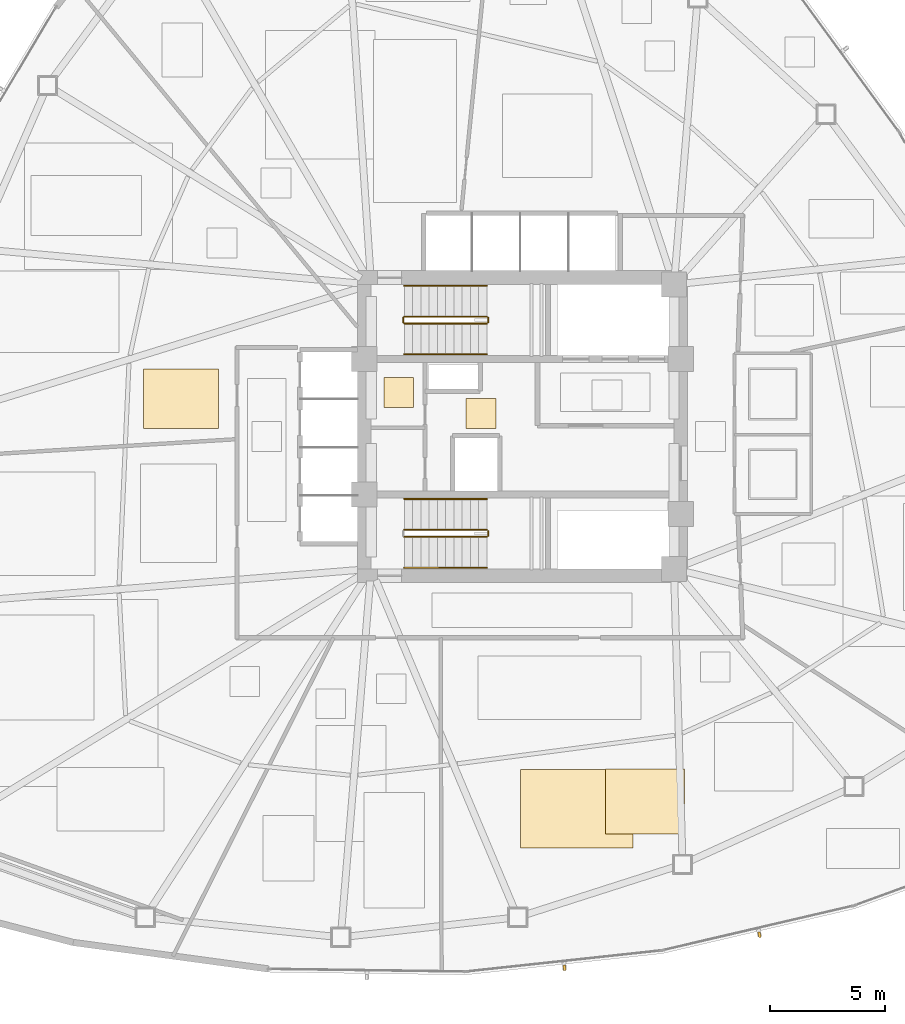
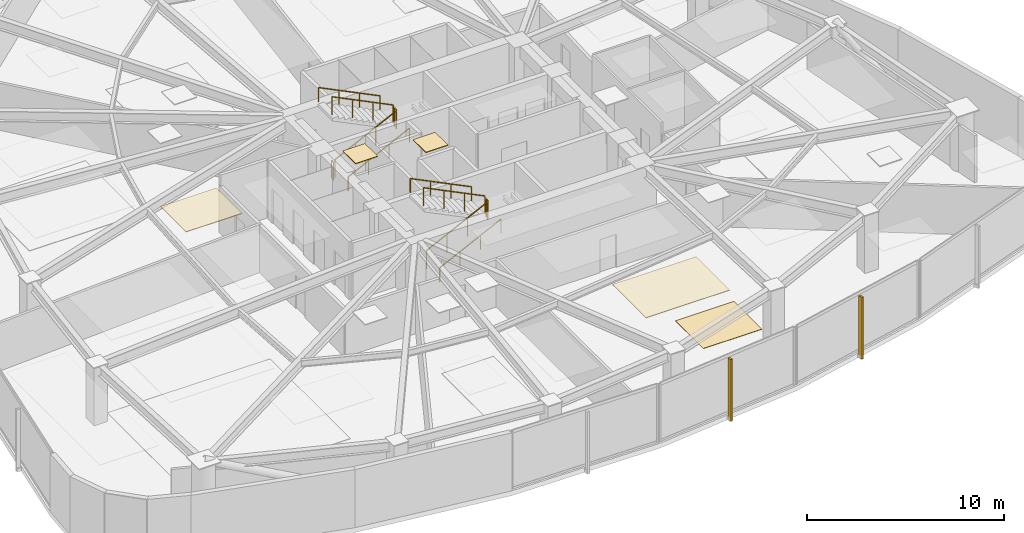
# One storey, part 14 of 16: 11 railings, 5 coverings, 2 shading devices.
"""IFC4 building model written with IfcOpenShell, lengths in metres."""

from ifc_helpers import new_model, si_unit, direction, frame, origin, origin_2d, place, context, subcontext, project, spatial, polyline, rectangle, outline, extrude, source, transform, mapped, material, layer, layer_set, type_object, type_shapes, element, save


model = new_model("IFC4")

# Units and contexts
model_context = context("Model", 3, precision=1e-05, world=origin(), true_north=direction((0.0, 1.0)))
body_context = subcontext(model_context, "Body", "Model", "MODEL_VIEW")
ifc_project = project(units=[si_unit("LENGTHUNIT", "METRE"), si_unit("AREAUNIT", "SQUARE_METRE"), si_unit("VOLUMEUNIT", "CUBIC_METRE"), si_unit("PLANEANGLEUNIT", "RADIAN"), si_unit("MASSUNIT", "GRAM", prefix="KILO")], contexts=[model_context])

# Site, building, storey
site_placement = place(None, origin())
site = spatial("IfcSite", under=ifc_project, at=site_placement, CompositionType="ELEMENT")
building_placement = place(site_placement, origin())
building = spatial("IfcBuilding", under=site, at=building_placement, Name="Tavelor Broadcast Tower", CompositionType="ELEMENT")
storey_placement = place(building_placement, frame((0.0, 0.0, 35.39990234375)))
storey = spatial("IfcBuildingStorey", under=building, at=storey_placement, Name="L07", CompositionType="ELEMENT", Elevation=35.39990234375)

# Covering
ifc_material_1 = material(Name="Copper-Bronze Anodized Aluminium", Category="aluminium")
ifc_layer_1 = layer(ifc_material_1, 0.044921875)
ifc_layer_set_1 = layer_set([ifc_layer_1], Name="Copper-Bronze Anodized Aluminium")
covering_type_1 = type_object("IfcCoveringType", Name="Anodised Bronze Linear Slatted Concourse Ceiling 45 mm", PredefinedType="CEILING", material=ifc_layer_set_1)
covering_1_placement = place(storey_placement, frame((0.0, 0.0, 3.55517578125)))
element("IfcCovering", 1, at=covering_1_placement, inside=storey, type_object=covering_type_1, Name="L07 Suspended Acoustic Ceiling 0207", PredefinedType="CEILING", context=body_context, shape_type="SweptSolid", body=[
    extrude(outline(polyline([(47.5400390625, 44.919921875), (48.840087890625, 44.919921875), (48.840087890625, 46.219970703125), (47.5400390625, 46.219970703125), (47.5400390625, 44.919921875)])), origin(), (0.0, 0.0, 1.0), 0.044921875),
])

# Railings
ifc_material_2 = material(Name="Steel S355", Category="steel")
railing_type_1 = type_object("IfcRailingType", Name="Continuous Brushed Stainless Handrail 900 mm", PredefinedType="HANDRAIL", material=ifc_material_2)
railing_1_placement = place(storey_placement, frame((44.85009765625, 48.14990234375, 0.177490234375)))
element("IfcRailing", 2, at=railing_1_placement, inside=storey, type_object=railing_type_1, Name="L07 ST1 stair handrail 1", PredefinedType="HANDRAIL", context=body_context, shape_type="SweptSolid", body=[
    extrude(rectangle(XDim=0.048095703125, YDim=0.048095703125, at=origin_2d()), frame((0.0, 0.0, 0.8759765625), z_axis=(0.897124305991, 0.0, 0.441778201817), x_axis=(0.0, 1.0, 0.0)), (0.0, 0.0, 1.0), 4.0126953125),
    extrude(rectangle(XDim=0.0419921875, YDim=0.0419921875, at=origin_2d()), origin(), (0.0, 0.0, 1.0), 0.851806640625),
    extrude(rectangle(XDim=0.0419921875, YDim=0.0419921875, at=origin_2d()), frame((1.199951171875, 0.0, 0.5908203125)), (0.0, 0.0, 1.0), 0.851806640625),
    extrude(rectangle(XDim=0.0419921875, YDim=0.0419921875, at=origin_2d()), frame((2.39990234375, 0.0, 1.181884765625)), (0.0, 0.0, 1.0), 0.851806640625),
    extrude(rectangle(XDim=0.0419921875, YDim=0.0419921875, at=origin_2d()), frame((3.599853515625, 0.0, 1.772705078125)), (0.0, 0.0, 1.0), 0.851806640625),
])
railing_2_placement = place(storey_placement, frame((48.449951171875, 51.14990234375, 2.12744140625)))
element("IfcRailing", 3, at=railing_2_placement, inside=storey, type_object=railing_type_1, Name="L07 ST1 stair handrail 2", PredefinedType="HANDRAIL", context=body_context, shape_type="SweptSolid", body=[
    extrude(rectangle(XDim=0.048095703125, YDim=0.048095703125, at=origin_2d()), frame((0.0, 0.0, 0.8759765625), z_axis=(-0.897124305991, 0.0, 0.441778201817), x_axis=(0.0, -1.0, 0.0)), (0.0, 0.0, 1.0), 4.0126953125),
    extrude(rectangle(XDim=0.0419921875, YDim=0.0419921875, at=origin_2d()), origin(), (0.0, 0.0, 1.0), 0.851806640625),
    extrude(rectangle(XDim=0.0419921875, YDim=0.0419921875, at=origin_2d()), frame((-1.199951171875, 0.0, 0.5908203125)), (0.0, 0.0, 1.0), 0.851806640625),
    extrude(rectangle(XDim=0.0419921875, YDim=0.0419921875, at=origin_2d()), frame((-2.39990234375, 0.0, 1.181884765625)), (0.0, 0.0, 1.0), 0.851806640625),
    extrude(rectangle(XDim=0.0419921875, YDim=0.0419921875, at=origin_2d()), frame((-3.599853515625, 0.0, 1.772705078125)), (0.0, 0.0, 1.0), 0.851806640625),
])
railing_3_placement = place(storey_placement, frame((44.85009765625, 38.85009765625, 0.177490234375)))
element("IfcRailing", 4, at=railing_3_placement, inside=storey, type_object=railing_type_1, Name="L07 ST2 stair handrail 1", PredefinedType="HANDRAIL", context=body_context, shape_type="SweptSolid", body=[
    extrude(rectangle(XDim=0.048095703125, YDim=0.048095703125, at=origin_2d()), frame((0.0, 0.0, 0.8759765625), z_axis=(0.897124305991, 0.0, 0.441778201817), x_axis=(0.0, 1.0, 0.0)), (0.0, 0.0, 1.0), 4.0126953125),
    extrude(rectangle(XDim=0.0419921875, YDim=0.0419921875, at=origin_2d()), origin(), (0.0, 0.0, 1.0), 0.851806640625),
    extrude(rectangle(XDim=0.0419921875, YDim=0.0419921875, at=origin_2d()), frame((1.199951171875, 0.0, 0.5908203125)), (0.0, 0.0, 1.0), 0.851806640625),
    extrude(rectangle(XDim=0.0419921875, YDim=0.0419921875, at=origin_2d()), frame((2.39990234375, 0.0, 1.181884765625)), (0.0, 0.0, 1.0), 0.851806640625),
    extrude(rectangle(XDim=0.0419921875, YDim=0.0419921875, at=origin_2d()), frame((3.599853515625, 0.0, 1.772705078125)), (0.0, 0.0, 1.0), 0.851806640625),
])
railing_4_placement = place(storey_placement, frame((48.449951171875, 41.85009765625, 2.12744140625)))
element("IfcRailing", 5, at=railing_4_placement, inside=storey, type_object=railing_type_1, Name="L07 ST2 stair handrail 2", PredefinedType="HANDRAIL", context=body_context, shape_type="SweptSolid", body=[
    extrude(rectangle(XDim=0.048095703125, YDim=0.048095703125, at=origin_2d()), frame((0.0, 0.0, 0.8759765625), z_axis=(-0.897124305991, 0.0, 0.441778201817), x_axis=(0.0, -1.0, 0.0)), (0.0, 0.0, 1.0), 4.0126953125),
    extrude(rectangle(XDim=0.0419921875, YDim=0.0419921875, at=origin_2d()), origin(), (0.0, 0.0, 1.0), 0.851806640625),
    extrude(rectangle(XDim=0.0419921875, YDim=0.0419921875, at=origin_2d()), frame((-1.199951171875, 0.0, 0.5908203125)), (0.0, 0.0, 1.0), 0.851806640625),
    extrude(rectangle(XDim=0.0419921875, YDim=0.0419921875, at=origin_2d()), frame((-2.39990234375, 0.0, 1.181884765625)), (0.0, 0.0, 1.0), 0.851806640625),
    extrude(rectangle(XDim=0.0419921875, YDim=0.0419921875, at=origin_2d()), frame((-3.599853515625, 0.0, 1.772705078125)), (0.0, 0.0, 1.0), 0.851806640625),
])

# Covering
ifc_material_3 = material(Name="Acoustic Nylon Carpet Tile")
ifc_layer_2 = layer(ifc_material_3, 0.02001953125)
ifc_layer_set_2 = layer_set([ifc_layer_2], Name="Acoustic Nylon Carpet Tile")
covering_type_2 = type_object("IfcCoveringType", Name="Heavy-Duty Acoustic Broadcast Carpet Tile 20 mm", PredefinedType="FLOORING", material=ifc_layer_set_2)
covering_2_placement = place(storey_placement, origin())
element("IfcCovering", 6, at=covering_2_placement, inside=storey, type_object=covering_type_2, Name="L07 Broadcast Floor Finish 0077", PredefinedType="FLOORING", context=body_context, shape_type="SweptSolid", body=[
    extrude(outline(polyline([(53.620361328125, 27.247802734375), (57.057861328125, 27.247802734375), (57.057861328125, 30.08935546875), (53.620361328125, 30.08935546875), (53.620361328125, 27.247802734375)])), origin(), (0.0, 0.0, 1.0), 0.02001953125),
])

# Railings
railing_type_2 = type_object("IfcRailingType", Name="Stairwell Steel Safety Guardrail 1150 mm", PredefinedType="GUARDRAIL", material=ifc_material_2)
railing_5_placement = place(storey_placement, frame((44.85009765625, 49.5, 0.177490234375)))
element("IfcRailing", 7, at=railing_5_placement, inside=storey, type_object=railing_type_2, Name="L07 ST1 stair guard 1", PredefinedType="GUARDRAIL", context=body_context, shape_type="SweptSolid", body=[
    extrude(rectangle(XDim=0.048095703125, YDim=0.048095703125, at=origin_2d()), frame((0.0, 0.0, 1.1259765625), z_axis=(0.897124305991, 0.0, 0.441778201817), x_axis=(0.0, 1.0, 0.0)), (0.0, 0.0, 1.0), 4.0126953125),
    extrude(rectangle(XDim=0.0419921875, YDim=0.0419921875, at=origin_2d()), origin(), (0.0, 0.0, 1.0), 1.101806640625),
    extrude(rectangle(XDim=0.0419921875, YDim=0.0419921875, at=origin_2d()), frame((1.199951171875, 0.0, 0.5908203125)), (0.0, 0.0, 1.0), 1.101806640625),
    extrude(rectangle(XDim=0.0419921875, YDim=0.0419921875, at=origin_2d()), frame((2.39990234375, 0.0, 1.181884765625)), (0.0, 0.0, 1.0), 1.101806640625),
    extrude(rectangle(XDim=0.0419921875, YDim=0.0419921875, at=origin_2d()), frame((3.599853515625, 0.0, 1.772705078125)), (0.0, 0.0, 1.0), 1.101806640625),
])
railing_6_placement = place(storey_placement, frame((48.5, 49.550048828125, 1.9501953125)))
element("IfcRailing", 8, at=railing_6_placement, inside=storey, type_object=railing_type_2, Name="L07 ST1 stair guard 2", PredefinedType="GUARDRAIL", context=body_context, shape_type="SweptSolid", body=[
    extrude(rectangle(XDim=0.048095703125, YDim=0.048095703125, at=origin_2d()), frame((0.0, 0.0, 1.1259765625), z_axis=(0.0, 1.0, 0.0), x_axis=(-1.0, 0.0, 0.0)), (0.0, 0.0, 1.0), 0.199951171875),
    extrude(rectangle(XDim=0.0419921875, YDim=0.0419921875, at=origin_2d()), origin(), (0.0, 0.0, 1.0), 1.101806640625),
    extrude(rectangle(XDim=0.0419921875, YDim=0.0419921875, at=origin_2d()), frame((0.0, 0.199951171875, 0.0)), (0.0, 0.0, 1.0), 1.101806640625),
])
railing_7_placement = place(storey_placement, frame((48.449951171875, 49.800048828125, 2.12744140625)))
element("IfcRailing", 9, at=railing_7_placement, inside=storey, type_object=railing_type_2, Name="L07 ST1 stair guard 3", PredefinedType="GUARDRAIL", context=body_context, shape_type="SweptSolid", body=[
    extrude(rectangle(XDim=0.048095703125, YDim=0.048095703125, at=origin_2d()), frame((0.0, 0.0, 1.1259765625), z_axis=(-0.897124305991, 0.0, 0.441778201817), x_axis=(0.0, -1.0, 0.0)), (0.0, 0.0, 1.0), 4.0126953125),
    extrude(rectangle(XDim=0.0419921875, YDim=0.0419921875, at=origin_2d()), origin(), (0.0, 0.0, 1.0), 1.101806640625),
    extrude(rectangle(XDim=0.0419921875, YDim=0.0419921875, at=origin_2d()), frame((-1.199951171875, 0.0, 0.5908203125)), (0.0, 0.0, 1.0), 1.101806640625),
    extrude(rectangle(XDim=0.0419921875, YDim=0.0419921875, at=origin_2d()), frame((-2.39990234375, 0.0, 1.181884765625)), (0.0, 0.0, 1.0), 1.101806640625),
    extrude(rectangle(XDim=0.0419921875, YDim=0.0419921875, at=origin_2d()), frame((-3.599853515625, 0.0, 1.772705078125)), (0.0, 0.0, 1.0), 1.101806640625),
])
railing_8_placement = place(storey_placement, frame((44.800048828125, 49.550048828125, 0.0)))
element("IfcRailing", 10, at=railing_8_placement, inside=storey, type_object=railing_type_2, Name="L07 ST1 stair guard 4", PredefinedType="GUARDRAIL", context=body_context, shape_type="SweptSolid", body=[
    extrude(rectangle(XDim=0.048095703125, YDim=0.048095703125, at=origin_2d()), frame((0.0, 0.0, 1.1259765625), z_axis=(0.0, 1.0, 0.0), x_axis=(-1.0, 0.0, 0.0)), (0.0, 0.0, 1.0), 0.199951171875),
    extrude(rectangle(XDim=0.0419921875, YDim=0.0419921875, at=origin_2d()), origin(), (0.0, 0.0, 1.0), 1.101806640625),
    extrude(rectangle(XDim=0.0419921875, YDim=0.0419921875, at=origin_2d()), frame((0.0, 0.199951171875, 0.0)), (0.0, 0.0, 1.0), 1.101806640625),
])
railing_9_placement = place(storey_placement, frame((44.85009765625, 40.199951171875, 0.177490234375)))
element("IfcRailing", 11, at=railing_9_placement, inside=storey, type_object=railing_type_2, Name="L07 ST2 stair guard 1", PredefinedType="GUARDRAIL", context=body_context, shape_type="SweptSolid", body=[
    extrude(rectangle(XDim=0.048095703125, YDim=0.048095703125, at=origin_2d()), frame((0.0, 0.0, 1.1259765625), z_axis=(0.897124305991, 0.0, 0.441778201817), x_axis=(0.0, 1.0, 0.0)), (0.0, 0.0, 1.0), 4.0126953125),
    extrude(rectangle(XDim=0.0419921875, YDim=0.0419921875, at=origin_2d()), origin(), (0.0, 0.0, 1.0), 1.101806640625),
    extrude(rectangle(XDim=0.0419921875, YDim=0.0419921875, at=origin_2d()), frame((1.199951171875, 0.0, 0.5908203125)), (0.0, 0.0, 1.0), 1.101806640625),
    extrude(rectangle(XDim=0.0419921875, YDim=0.0419921875, at=origin_2d()), frame((2.39990234375, 0.0, 1.181884765625)), (0.0, 0.0, 1.0), 1.101806640625),
    extrude(rectangle(XDim=0.0419921875, YDim=0.0419921875, at=origin_2d()), frame((3.599853515625, 0.0, 1.772705078125)), (0.0, 0.0, 1.0), 1.101806640625),
])
railing_10_placement = place(storey_placement, frame((48.5, 40.25, 1.9501953125)))
element("IfcRailing", 12, at=railing_10_placement, inside=storey, type_object=railing_type_2, Name="L07 ST2 stair guard 2", PredefinedType="GUARDRAIL", context=body_context, shape_type="SweptSolid", body=[
    extrude(rectangle(XDim=0.048095703125, YDim=0.048095703125, at=origin_2d()), frame((0.0, 0.0, 1.1259765625), z_axis=(0.0, 1.0, 0.0), x_axis=(-1.0, 0.0, 0.0)), (0.0, 0.0, 1.0), 0.199951171875),
    extrude(rectangle(XDim=0.0419921875, YDim=0.0419921875, at=origin_2d()), origin(), (0.0, 0.0, 1.0), 1.101806640625),
    extrude(rectangle(XDim=0.0419921875, YDim=0.0419921875, at=origin_2d()), frame((0.0, 0.199951171875, 0.0)), (0.0, 0.0, 1.0), 1.101806640625),
])
railing_11_placement = place(storey_placement, frame((48.449951171875, 40.5, 2.12744140625)))
element("IfcRailing", 13, at=railing_11_placement, inside=storey, type_object=railing_type_2, Name="L07 ST2 stair guard 3", PredefinedType="GUARDRAIL", context=body_context, shape_type="SweptSolid", body=[
    extrude(rectangle(XDim=0.048095703125, YDim=0.048095703125, at=origin_2d()), frame((0.0, 0.0, 1.1259765625), z_axis=(-0.897124305991, 0.0, 0.441778201817), x_axis=(0.0, -1.0, 0.0)), (0.0, 0.0, 1.0), 4.0126953125),
    extrude(rectangle(XDim=0.0419921875, YDim=0.0419921875, at=origin_2d()), origin(), (0.0, 0.0, 1.0), 1.101806640625),
    extrude(rectangle(XDim=0.0419921875, YDim=0.0419921875, at=origin_2d()), frame((-1.199951171875, 0.0, 0.5908203125)), (0.0, 0.0, 1.0), 1.101806640625),
    extrude(rectangle(XDim=0.0419921875, YDim=0.0419921875, at=origin_2d()), frame((-2.39990234375, 0.0, 1.181884765625)), (0.0, 0.0, 1.0), 1.101806640625),
    extrude(rectangle(XDim=0.0419921875, YDim=0.0419921875, at=origin_2d()), frame((-3.599853515625, 0.0, 1.772705078125)), (0.0, 0.0, 1.0), 1.101806640625),
])

# Coverings
ifc_material_4 = material(Name="Acoustic Mineral Fibre Tile")
ifc_layer_3 = layer(ifc_material_4, 0.0400390625)
ifc_layer_set_3 = layer_set([ifc_layer_3], Name="Acoustic Mineral Fibre Tile")
covering_type_3 = type_object("IfcCoveringType", Name="Suspended Acoustic Mineral-Fibre Office Ceiling 40 mm", PredefinedType="CEILING", material=ifc_layer_set_3)
covering_3_placement = place(storey_placement, frame((0.0, 0.0, 3.56005859375)))
element("IfcCovering", 14, at=covering_3_placement, inside=storey, type_object=covering_type_3, Name="L07 Suspended Acoustic Ceiling 0208", PredefinedType="CEILING", context=body_context, shape_type="SweptSolid", body=[
    extrude(outline(polyline([(43.951416015625, 45.843017578125), (45.25146484375, 45.843017578125), (45.25146484375, 47.14306640625), (43.951416015625, 47.14306640625), (43.951416015625, 45.843017578125)])), origin(), (0.0, 0.0, 1.0), 0.0400390625),
])
covering_4_placement = place(storey_placement, frame((0.0, 0.0, 3.56005859375)))
element("IfcCovering", 15, at=covering_4_placement, inside=storey, type_object=covering_type_3, Name="L07 Suspended Acoustic Ceiling 0218", PredefinedType="CEILING", context=body_context, shape_type="SweptSolid", body=[
    extrude(outline(polyline([(49.9033203125, 26.638916015625), (54.817138671875, 26.638916015625), (54.817138671875, 30.0517578125), (49.9033203125, 30.0517578125), (49.9033203125, 26.638916015625)])), origin(), (0.0, 0.0, 1.0), 0.0400390625),
])
covering_5_placement = place(storey_placement, frame((0.0, 0.0, 3.56005859375)))
element("IfcCovering", 16, at=covering_5_placement, inside=storey, type_object=covering_type_3, Name="L07 Suspended Acoustic Ceiling 0230", PredefinedType="CEILING", context=body_context, shape_type="SweptSolid", body=[
    extrude(outline(polyline([(33.478515625, 44.911865234375), (36.747802734375, 44.911865234375), (36.747802734375, 47.515869140625), (33.478515625, 47.515869140625), (33.478515625, 44.911865234375)])), origin(), (0.0, 0.0, 1.0), 0.0400390625),
])

# Shading devices
ifc_material_5 = material(Name="Kiln-Fired Glazed Terracotta", Category="masonry")
shading_device_type = type_object("IfcShadingDeviceType", Name="Extruded Terracotta Baguette Sun-Screen 110x240", PredefinedType="JALOUSIE", material=ifc_material_5)
shared_shape = source(origin(), body_context, "Body", "SweptSolid", [
    extrude(rectangle(XDim=0.110107421875, YDim=0.239990234375, at=origin_2d()), origin(), (0.0, 0.0, 1.0), 3.840087890625),
])
type_shapes(shading_device_type, [shared_shape])
for number, where, z_axis, x_axis, name in (
    (17, (51.828369140625, 21.407470703125, -0.259765625), (0.0, 0.0, 1.0), (0.994207376024, 0.107478804698, 0.0), "L07 Terracotta Baguette Fin 42"),
    (18, (60.327880859375, 22.852783203125, -0.259765625), (0.0, 0.0, 1.0), (0.973857159427, 0.227161248969, 0.0), "L07 Terracotta Baguette Fin 43"),
):
    element("IfcShadingDevice", number, at=place(storey_placement, frame(where, z_axis=z_axis, x_axis=x_axis)), inside=storey, type_object=shading_device_type, Name=name, PredefinedType="JALOUSIE", context=body_context, shape_type="MappedRepresentation", body=[
        mapped(shared_shape, transform((0.0, 0.0, 0.0), scale=1.0)),
    ])

save(model, "model.ifc")
